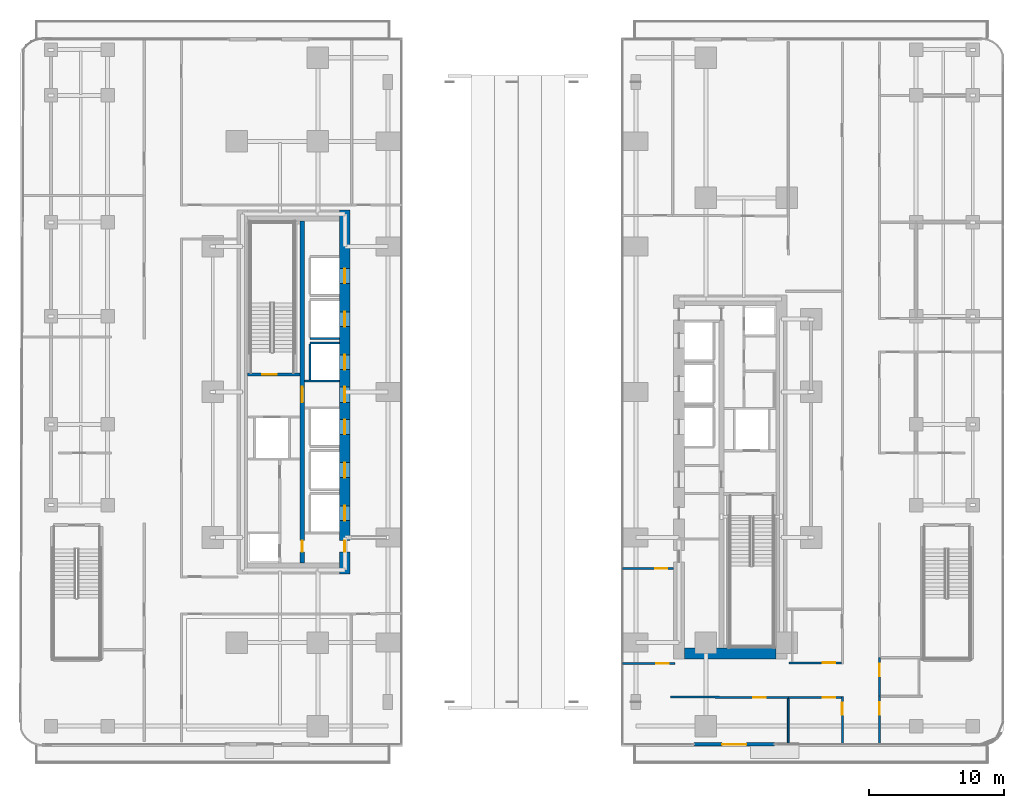
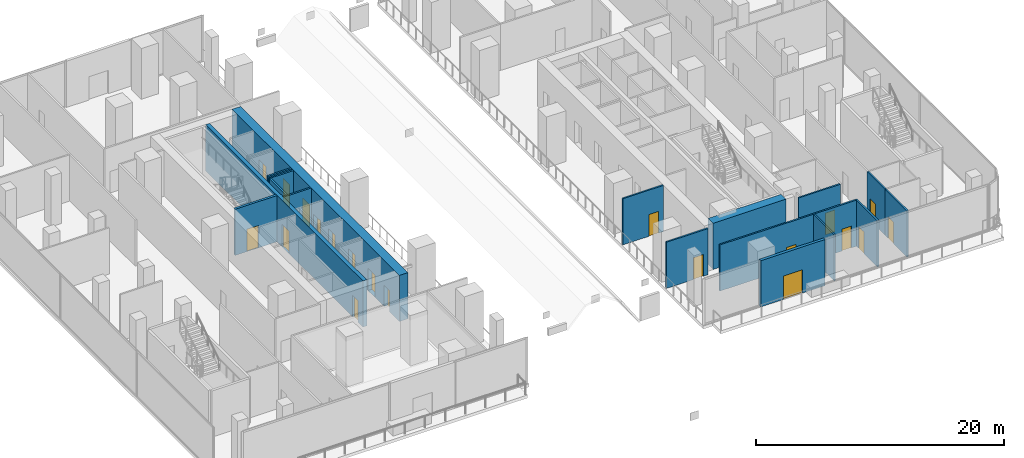
# One storey, part 11 of 32: 20 doors, 18 walls, 20 openings.
"""IFC4 building model written with IfcOpenShell, lengths in metres."""

from ifc_helpers import new_model, si_unit, direction, frame, frame_2d, origin, place, context, subcontext, project, spatial, rectangle, extrude, material, layer, layer_set, type_object, element, fill, save


model = new_model("IFC4")

# Units and contexts
model_context = context("Model", 3, precision=1e-05, world=origin(), true_north=direction((0.0, 1.0)))
body_context = subcontext(model_context, "Body", "Model", "MODEL_VIEW")
ifc_project = project(units=[si_unit("LENGTHUNIT", "METRE"), si_unit("AREAUNIT", "SQUARE_METRE"), si_unit("VOLUMEUNIT", "CUBIC_METRE"), si_unit("PLANEANGLEUNIT", "RADIAN"), si_unit("MASSUNIT", "GRAM", prefix="KILO")], contexts=[model_context])

# Site, building, storey
site_placement = place(None, origin())
site = spatial("IfcSite", under=ifc_project, at=site_placement, CompositionType="ELEMENT")
building_placement = place(site_placement, origin())
building = spatial("IfcBuilding", under=site, at=building_placement, Name="Khairoan Windgate Tower", CompositionType="ELEMENT")
storey_placement = place(building_placement, frame((0.0, 0.0, 16.0)))
storey = spatial("IfcBuildingStorey", under=building, at=storey_placement, Name="L04", CompositionType="ELEMENT", Elevation=16.0)

# Walls
ifc_material_1 = material(Name="Concrete C40/50", Category="concrete")
ifc_layer_1 = layer(ifc_material_1, 0.159912109375, Name="Concrete C40/50")
ifc_layer_set_1 = layer_set([ifc_layer_1], Name="Concrete C40/50")
wall_type_1 = type_object("IfcWallType", Name="Core and Hoistway Enclosure Wall", PredefinedType="STANDARD", material=ifc_layer_set_1)
for number, where, z_axis, x_axis, name in (
    (1, (-14.989990234375, 3.9599609375, 0.0), (0.0, 0.0, 1.0), (1.0, 0.0, 0.0), "L04 Lift PL2 Hoistway Divider S"),
    (2, (-14.989990234375, 3.639892578125, 0.0), (0.0, 0.0, 1.0), (1.0, 0.0, 0.0), "L04 Lift PL3 Hoistway Divider N"),
):
    element("IfcWall", number, at=place(storey_placement, frame(where, z_axis=z_axis, x_axis=x_axis)), inside=storey, type_object=wall_type_1, Name=name, PredefinedType="STANDARD", context=body_context, shape_type="SweptSolid", body=[
        extrude(rectangle(XDim=2.18994140625, YDim=0.159912109375, at=frame_2d((1.094970703125, 0.0))), origin(), (0.0, 0.0, 1.0), 4.550048828125),
    ])
wall_1_placement = place(storey_placement, frame((-14.989990234375, 0.85009765625, 0.0), z_axis=(0.0, 0.0, 1.0), x_axis=(0.0, 1.0, 0.0)))
element("IfcWall", 3, at=wall_1_placement, inside=storey, type_object=wall_type_1, Name="L04 Lift PL3 Hoistway Back Wall", PredefinedType="STANDARD", context=body_context, shape_type="SweptSolid", body=[
    extrude(rectangle(XDim=2.699951171875, YDim=0.159912109375, at=frame_2d((1.35009765625, 0.0))), origin(), (0.0, 0.0, 1.0), 4.550048828125),
])
wall_2_placement = place(storey_placement, frame((-15.39990234375, 0.800048828125, 0.0), z_axis=(0.0, 0.0, 1.0), x_axis=(1.0, 0.0, 0.0)))
element("IfcWall", 4, at=wall_2_placement, inside=storey, type_object=wall_type_1, Name="L04 Core Shaft Wall SW-WV1-L04", PredefinedType="STANDARD", context=body_context, shape_type="SweptSolid", body=[
    extrude(rectangle(XDim=2.599853515625, YDim=0.159912109375, at=frame_2d((1.2998046875, 0.0))), origin(), (0.0, 0.0, 1.0), 4.550048828125),
])

# Wall, opening, door
ifc_material_2 = material(Name="Precast Concrete C40/50", Category="concrete")
ifc_layer_2 = layer(ifc_material_2, 0.260009765625, Name="Precast Concrete C40/50")
ifc_layer_set_2 = layer_set([ifc_layer_2], Name="Precast Concrete C40/50")
wall_type_2 = type_object("IfcWallType", Name="Insulated Tower Facade Wall EW2 260mm", PredefinedType="STANDARD", material=ifc_layer_set_2)
wall_3_placement = place(storey_placement, frame((19.5, -26.159912109375, 0.0), z_axis=(0.0, 0.0, 1.0), x_axis=(-1.0, 0.0, 0.0)))
wall_3 = element("IfcWall", 5, at=wall_3_placement, inside=storey, type_object=wall_type_2, Name="L04 South-East Terrace Access Wall", PredefinedType="STANDARD", context=body_context, shape_type="SweptSolid", body=[
    extrude(rectangle(XDim=6.0, YDim=0.260009765625, at=frame_2d((3.0, 0.0))), origin(), (0.0, 0.0, 1.0), 4.550048828125),
])
opening_1_placement = place(wall_3_placement, frame((2.10009765625, 0.0, 0.0)))
opening_1 = element("IfcOpeningElement", 6, at=opening_1_placement, cuts=wall_3, Name="Opening TD1", PredefinedType="OPENING", context=body_context, shape_type="SweptSolid", body=[
    extrude(rectangle(XDim=1.800048828125, YDim=2.300048828125, at=frame_2d((0.89990234375, 1.14990234375))), frame((0.0, 0.139892578125, 0.0), z_axis=(0.0, -1.0, 0.0), x_axis=(1.0, 0.0, 0.0)), (0.0, 0.0, 1.0), 0.280029296875),
])
ifc_material_3 = material(Name="Anodised Bronze Aluminium 6063-T6", Category="aluminium")
door_type_1 = type_object("IfcDoorType", Name="Glazed Double Terrace Door TD-1800", OperationType="DOUBLE_DOOR_SINGLE_SWING", PredefinedType="DOOR", material=ifc_material_3)
door_1_placement = place(opening_1_placement, origin())
door_1 = element("IfcDoor", 7, at=door_1_placement, inside=storey, type_object=door_type_1, Name="L04 South-East Sky Terrace Door", OperationType="DOUBLE_DOOR_SINGLE_SWING", OverallHeight=2.300048828125, OverallWidth=1.800048828125, PredefinedType="DOOR", context=body_context, shape_type="SweptSolid", body=[
    extrude(rectangle(XDim=1.800048828125, YDim=2.300048828125, at=frame_2d((0.89990234375, 1.14990234375))), frame((0.0, 0.02490234375, 0.0), z_axis=(0.0, -1.0, 0.0), x_axis=(1.0, 0.0, 0.0)), (0.0, 0.0, 1.0), 0.050048828125),
])
fill(opening_1, door_1)

# Wall
ifc_material_4 = material(Name="Acoustic Fire-Rated Gypsum Partition", Category="gypsum")
ifc_layer_3 = layer(ifc_material_4, 0.139892578125, Name="Acoustic Fire-Rated Gypsum Partition")
ifc_layer_set_3 = layer_set([ifc_layer_3], Name="Acoustic Fire-Rated Gypsum Partition")
wall_type_3 = type_object("IfcWallType", Name="Inter-Tenancy Compartment Wall", PredefinedType="PARTITIONING", material=ifc_layer_set_3)
wall_4_placement = place(storey_placement, frame((20.510009765625, -26.099853515625, 0.0), z_axis=(0.0, 0.0, 1.0), x_axis=(0.0, 1.0, 0.0)))
element("IfcWall", 8, at=wall_4_placement, inside=storey, type_object=wall_type_3, Name="L04 Interior Partition 027", PredefinedType="PARTITIONING", context=body_context, shape_type="SweptSolid", body=[
    extrude(rectangle(XDim=3.344970703125, YDim=0.139892578125, at=frame_2d((1.67236328125, 0.0))), origin(), (0.0, 0.0, 1.0), 4.550048828125),
])

# Wall, opening, door
ifc_material_5 = material(Name="Acoustic Fire-Rated Gypsum Partition", Category="gypsum")
ifc_layer_4 = layer(ifc_material_5, 0.14990234375, Name="Acoustic Fire-Rated Gypsum Partition")
ifc_layer_set_4 = layer_set([ifc_layer_4], Name="Acoustic Fire-Rated Gypsum Partition")
wall_type_4 = type_object("IfcWallType", Name="Rated Corridor Partition Wall", PredefinedType="PARTITIONING", material=ifc_layer_set_4)
wall_5_placement = place(storey_placement, frame((24.52001953125, -26.112548828125, 0.0), z_axis=(0.0, 0.0, 1.0), x_axis=(0.0, 1.0, 0.0)))
wall_5 = element("IfcWall", 9, at=wall_5_placement, inside=storey, type_object=wall_type_4, Name="L04 Interior Partition 025", PredefinedType="PARTITIONING", context=body_context, shape_type="SweptSolid", body=[
    extrude(rectangle(XDim=3.507568359375, YDim=0.14990234375, at=frame_2d((1.75390625, 0.0))), origin(), (0.0, 0.0, 1.0), 4.550048828125),
])
opening_2_placement = place(wall_5_placement, frame((2.147705078125, 0.0, 0.0)))
opening_2 = element("IfcOpeningElement", 10, at=opening_2_placement, cuts=wall_5, Name="Opening FD-ENT", PredefinedType="OPENING", context=body_context, shape_type="SweptSolid", body=[
    extrude(rectangle(XDim=0.89990234375, YDim=2.14990234375, at=frame_2d((0.449951171875, 1.074951171875))), frame((0.0, 0.0849609375, 0.0), z_axis=(0.0, -1.0, 0.0), x_axis=(1.0, 0.0, 0.0)), (0.0, 0.0, 1.0), 0.169921875),
])
ifc_material_6 = material(Name="Timber Fire-Rated Core", Category="wood")
door_type_2 = type_object("IfcDoorType", Name="Unit and Office Fire Entrance Door FD-ENT 900x2150", OperationType="NOTDEFINED", PredefinedType="DOOR", material=ifc_material_6)
door_2_placement = place(opening_2_placement, origin())
door_2 = element("IfcDoor", 11, at=door_2_placement, inside=storey, type_object=door_type_2, Name="L04 L04-36-L04-45 Door", OperationType="SINGLE_SWING_LEFT", OverallHeight=2.14990234375, OverallWidth=0.89990234375, PredefinedType="DOOR", context=body_context, shape_type="SweptSolid", body=[
    extrude(rectangle(XDim=0.89990234375, YDim=2.14990234375, at=frame_2d((0.449951171875, 1.074951171875))), frame((0.0, 0.02490234375, 0.0), z_axis=(0.0, -1.0, 0.0), x_axis=(1.0, 0.0, 0.0)), (0.0, 0.0, 1.0), 0.050048828125),
])
fill(opening_2, door_2)

wall_6_placement = place(storey_placement, frame((20.510009765625, -22.679931640625, 0.0), z_axis=(0.0, 0.0, 1.0), x_axis=(1.0, 0.0, 0.0)))
wall_6 = element("IfcWall", 12, at=wall_6_placement, inside=storey, type_object=wall_type_4, Name="L04 Interior Partition 026", PredefinedType="PARTITIONING", context=body_context, shape_type="SweptSolid", body=[
    extrude(rectangle(XDim=3.93505859375, YDim=0.14990234375, at=frame_2d((1.967529296875, 0.0))), origin(), (0.0, 0.0, 1.0), 4.550048828125),
])
opening_3_placement = place(wall_6_placement, frame((2.574951171875, 0.0, 0.0)))
opening_3 = element("IfcOpeningElement", 13, at=opening_3_placement, cuts=wall_6, Name="Opening FD-ENT", PredefinedType="OPENING", context=body_context, shape_type="SweptSolid", body=[
    extrude(rectangle(XDim=0.89990234375, YDim=2.14990234375, at=frame_2d((0.449951171875, 1.074951171875))), frame((0.0, 0.0849609375, 0.0), z_axis=(0.0, -1.0, 0.0), x_axis=(1.0, 0.0, 0.0)), (0.0, 0.0, 1.0), 0.169921875),
])
door_3_placement = place(opening_3_placement, origin())
door_3 = element("IfcDoor", 14, at=door_3_placement, inside=storey, type_object=door_type_2, Name="L04 L04-36-L04-48 Door", OperationType="SINGLE_SWING_RIGHT", OverallHeight=2.14990234375, OverallWidth=0.89990234375, PredefinedType="DOOR", context=body_context, shape_type="SweptSolid", body=[
    extrude(rectangle(XDim=0.89990234375, YDim=2.14990234375, at=frame_2d((0.449951171875, 1.074951171875))), frame((0.0, 0.02490234375, 0.0), z_axis=(0.0, -1.0, 0.0), x_axis=(1.0, 0.0, 0.0)), (0.0, 0.0, 1.0), 0.050048828125),
])
fill(opening_3, door_3)

wall_7_placement = place(storey_placement, frame((8.205078125, -13.10009765625, 0.0), z_axis=(0.0, 0.0, 1.0), x_axis=(1.0, 0.0, 0.0)))
wall_7 = element("IfcWall", 15, at=wall_7_placement, inside=storey, type_object=wall_type_4, Name="L04 Interior Partition 041", PredefinedType="PARTITIONING", context=body_context, shape_type="SweptSolid", body=[
    extrude(rectangle(XDim=3.794921875, YDim=0.14990234375, at=frame_2d((1.8974609375, 0.0))), origin(), (0.0, 0.0, 1.0), 4.550048828125),
])
opening_4_placement = place(wall_7_placement, frame((2.43505859375, 0.0, 0.0)))
opening_4 = element("IfcOpeningElement", 16, at=opening_4_placement, cuts=wall_7, Name="Opening FD-ENT", PredefinedType="OPENING", context=body_context, shape_type="SweptSolid", body=[
    extrude(rectangle(XDim=0.89990234375, YDim=2.14990234375, at=frame_2d((0.449951171875, 1.074951171875))), frame((0.0, 0.0849609375, 0.0), z_axis=(0.0, -1.0, 0.0), x_axis=(1.0, 0.0, 0.0)), (0.0, 0.0, 1.0), 0.169921875),
])
door_4_placement = place(opening_4_placement, origin())
door_4 = element("IfcDoor", 17, at=door_4_placement, inside=storey, type_object=door_type_2, Name="L04 L04-44-L04-67 Door", OperationType="SINGLE_SWING_RIGHT", OverallHeight=2.14990234375, OverallWidth=0.89990234375, PredefinedType="DOOR", context=body_context, shape_type="SweptSolid", body=[
    extrude(rectangle(XDim=0.89990234375, YDim=2.14990234375, at=frame_2d((0.449951171875, 1.074951171875))), frame((0.0, 0.02490234375, 0.0), z_axis=(0.0, -1.0, 0.0), x_axis=(1.0, 0.0, 0.0)), (0.0, 0.0, 1.0), 0.050048828125),
])
fill(opening_4, door_4)

wall_8_placement = place(storey_placement, frame((27.280029296875, -22.580078125, 0.0), z_axis=(0.0, 0.0, 1.0), x_axis=(0.0, 1.0, 0.0)))
wall_8 = element("IfcWall", 18, at=wall_8_placement, inside=storey, type_object=wall_type_4, Name="L04 Interior Partition 045", PredefinedType="PARTITIONING", context=body_context, shape_type="SweptSolid", body=[
    extrude(rectangle(XDim=2.860107421875, YDim=0.14990234375, at=frame_2d((1.43017578125, 0.0))), origin(), (0.0, 0.0, 1.0), 4.550048828125),
])
opening_5_placement = place(wall_8_placement, frame((1.5, 0.0, 0.0)))
opening_5 = element("IfcOpeningElement", 19, at=opening_5_placement, cuts=wall_8, Name="Opening FD-ENT", PredefinedType="OPENING", context=body_context, shape_type="SweptSolid", body=[
    extrude(rectangle(XDim=0.89990234375, YDim=2.14990234375, at=frame_2d((0.449951171875, 1.074951171875))), frame((0.0, 0.0849609375, 0.0), z_axis=(0.0, -1.0, 0.0), x_axis=(1.0, 0.0, 0.0)), (0.0, 0.0, 1.0), 0.169921875),
])
door_5_placement = place(opening_5_placement, origin())
door_5 = element("IfcDoor", 20, at=door_5_placement, inside=storey, type_object=door_type_2, Name="L04 L04-45-L04-58 Door", OperationType="SINGLE_SWING_RIGHT", OverallHeight=2.14990234375, OverallWidth=0.89990234375, PredefinedType="DOOR", context=body_context, shape_type="SweptSolid", body=[
    extrude(rectangle(XDim=0.89990234375, YDim=2.14990234375, at=frame_2d((0.449951171875, 1.074951171875))), frame((0.0, 0.02490234375, 0.0), z_axis=(0.0, -1.0, 0.0), x_axis=(1.0, 0.0, 0.0)), (0.0, 0.0, 1.0), 0.050048828125),
])
fill(opening_5, door_5)

wall_9_placement = place(storey_placement, frame((27.280029296875, -26.121337890625, 0.0), z_axis=(0.0, 0.0, 1.0), x_axis=(0.0, 1.0, 0.0)))
wall_9 = element("IfcWall", 21, at=wall_9_placement, inside=storey, type_object=wall_type_4, Name="L04 Interior Partition 047", PredefinedType="PARTITIONING", context=body_context, shape_type="SweptSolid", body=[
    extrude(rectangle(XDim=3.541259765625, YDim=0.14990234375, at=frame_2d((1.7705078125, 0.0))), origin(), (0.0, 0.0, 1.0), 4.550048828125),
])
opening_6_placement = place(wall_9_placement, frame((2.181396484375, 0.0, 0.0)))
opening_6 = element("IfcOpeningElement", 22, at=opening_6_placement, cuts=wall_9, Name="Opening FD-ENT", PredefinedType="OPENING", context=body_context, shape_type="SweptSolid", body=[
    extrude(rectangle(XDim=0.89990234375, YDim=2.14990234375, at=frame_2d((0.449951171875, 1.074951171875))), frame((0.0, 0.0849609375, 0.0), z_axis=(0.0, -1.0, 0.0), x_axis=(1.0, 0.0, 0.0)), (0.0, 0.0, 1.0), 0.169921875),
])
door_6_placement = place(opening_6_placement, origin())
door_6 = element("IfcDoor", 23, at=door_6_placement, inside=storey, type_object=door_type_2, Name="L04 L04-45-L04-62 Door", OperationType="SINGLE_SWING_RIGHT", OverallHeight=2.14990234375, OverallWidth=0.89990234375, PredefinedType="DOOR", context=body_context, shape_type="SweptSolid", body=[
    extrude(rectangle(XDim=0.89990234375, YDim=2.14990234375, at=frame_2d((0.449951171875, 1.074951171875))), frame((0.0, 0.02490234375, 0.0), z_axis=(0.0, -1.0, 0.0), x_axis=(1.0, 0.0, 0.0)), (0.0, 0.0, 1.0), 0.050048828125),
])
fill(opening_6, door_6)

wall_10_placement = place(storey_placement, frame((11.760009765625, -22.639892578125, 0.0), z_axis=(0.0, 0.0, 1.0), x_axis=(0.999989530767, -0.004575844951, 0.0)))
wall_10 = element("IfcWall", 24, at=wall_10_placement, inside=storey, type_object=wall_type_4, Name="L04 Interior Partition 054", PredefinedType="PARTITIONING", context=body_context, shape_type="SweptSolid", body=[
    extrude(rectangle(XDim=8.75, YDim=0.14990234375, at=frame_2d((4.375, 0.0))), origin(), (0.0, 0.0, 1.0), 4.550048828125),
])
opening_7_placement = place(wall_10_placement, frame((6.1669921875, 0.0, 0.0)))
opening_7 = element("IfcOpeningElement", 25, at=opening_7_placement, cuts=wall_10, Name="Opening FD-ENT", PredefinedType="OPENING", context=body_context, shape_type="SweptSolid", body=[
    extrude(rectangle(XDim=0.89990234375, YDim=2.14990234375, at=frame_2d((0.449951171875, 1.074951171875))), frame((0.0, 0.0849609375, 0.0), z_axis=(0.0, -1.0, 0.0), x_axis=(1.0, 0.0, 0.0)), (0.0, 0.0, 1.0), 0.169921875),
])
door_7_placement = place(opening_7_placement, origin())
door_7 = element("IfcDoor", 26, at=door_7_placement, inside=storey, type_object=door_type_2, Name="L04 L04-48-L04-52 Door", OperationType="SINGLE_SWING_LEFT", OverallHeight=2.14990234375, OverallWidth=0.89990234375, PredefinedType="DOOR", context=body_context, shape_type="SweptSolid", body=[
    extrude(rectangle(XDim=0.89990234375, YDim=2.14990234375, at=frame_2d((0.449951171875, 1.074951171875))), frame((0.0, 0.02490234375, 0.0), z_axis=(0.0, -1.0, 0.0), x_axis=(1.0, 0.0, 0.0)), (0.0, 0.0, 1.0), 0.050048828125),
])
fill(opening_7, door_7)

wall_11_placement = place(storey_placement, frame((20.56005859375, -20.10009765625, 0.0), z_axis=(0.0, 0.0, 1.0), x_axis=(1.0, 0.0, 0.0)))
wall_11 = element("IfcWall", 27, at=wall_11_placement, inside=storey, type_object=wall_type_4, Name="L04 Interior Partition 055", PredefinedType="PARTITIONING", context=body_context, shape_type="SweptSolid", body=[
    extrude(rectangle(XDim=3.885009765625, YDim=0.14990234375, at=frame_2d((1.9423828125, 0.0))), origin(), (0.0, 0.0, 1.0), 4.550048828125),
])
opening_8_placement = place(wall_11_placement, frame((2.52490234375, 0.0, 0.0)))
opening_8 = element("IfcOpeningElement", 28, at=opening_8_placement, cuts=wall_11, Name="Opening FD-ENT", PredefinedType="OPENING", context=body_context, shape_type="SweptSolid", body=[
    extrude(rectangle(XDim=0.89990234375, YDim=2.14990234375, at=frame_2d((0.449951171875, 1.074951171875))), frame((0.0, 0.0849609375, 0.0), z_axis=(0.0, -1.0, 0.0), x_axis=(1.0, 0.0, 0.0)), (0.0, 0.0, 1.0), 0.169921875),
])
door_8_placement = place(opening_8_placement, origin())
door_8 = element("IfcDoor", 29, at=door_8_placement, inside=storey, type_object=door_type_2, Name="L04 L04-48-L04-57 Door", OperationType="SINGLE_SWING_RIGHT", OverallHeight=2.14990234375, OverallWidth=0.89990234375, PredefinedType="DOOR", context=body_context, shape_type="SweptSolid", body=[
    extrude(rectangle(XDim=0.89990234375, YDim=2.14990234375, at=frame_2d((0.449951171875, 1.074951171875))), frame((0.0, 0.02490234375, 0.0), z_axis=(0.0, -1.0, 0.0), x_axis=(1.0, 0.0, 0.0)), (0.0, 0.0, 1.0), 0.050048828125),
])
fill(opening_8, door_8)

wall_12_placement = place(storey_placement, frame((8.205078125, -20.159912109375, 0.0), z_axis=(0.0, 0.0, 1.0), x_axis=(1.0, 0.0, 0.0)))
wall_12 = element("IfcWall", 30, at=wall_12_placement, inside=storey, type_object=wall_type_4, Name="L04 Interior Partition 056", PredefinedType="PARTITIONING", context=body_context, shape_type="SweptSolid", body=[
    extrude(rectangle(XDim=3.885009765625, YDim=0.14990234375, at=frame_2d((1.9423828125, 0.0))), origin(), (0.0, 0.0, 1.0), 4.550048828125),
])
opening_9_placement = place(wall_12_placement, frame((2.52490234375, 0.0, 0.0)))
opening_9 = element("IfcOpeningElement", 31, at=opening_9_placement, cuts=wall_12, Name="Opening FD-ENT", PredefinedType="OPENING", context=body_context, shape_type="SweptSolid", body=[
    extrude(rectangle(XDim=0.89990234375, YDim=2.14990234375, at=frame_2d((0.449951171875, 1.074951171875))), frame((0.0, 0.0849609375, 0.0), z_axis=(0.0, -1.0, 0.0), x_axis=(1.0, 0.0, 0.0)), (0.0, 0.0, 1.0), 0.169921875),
])
door_9_placement = place(opening_9_placement, origin())
door_9 = element("IfcDoor", 32, at=door_9_placement, inside=storey, type_object=door_type_2, Name="L04 L04-48-L04-67 Door", OperationType="SINGLE_SWING_LEFT", OverallHeight=2.14990234375, OverallWidth=0.89990234375, PredefinedType="DOOR", context=body_context, shape_type="SweptSolid", body=[
    extrude(rectangle(XDim=0.89990234375, YDim=2.14990234375, at=frame_2d((0.449951171875, 1.074951171875))), frame((0.0, 0.02490234375, 0.0), z_axis=(0.0, -1.0, 0.0), x_axis=(1.0, 0.0, 0.0)), (0.0, 0.0, 1.0), 0.050048828125),
])
fill(opening_9, door_9)

# Wall
ifc_material_7 = material(Name="Concrete C70/85", Category="concrete")
ifc_layer_5 = layer(ifc_material_7, 0.800048828125, Name="Concrete C70/85")
ifc_layer_set_5 = layer_set([ifc_layer_5], Name="Concrete C70/85")
wall_type_5 = type_object("IfcWallType", Name="Shear Wall CW-E1 800mm", PredefinedType="SHEAR", material=ifc_layer_set_5)
wall_13_placement = place(storey_placement, frame((12.800048828125, -19.39990234375, 0.0), z_axis=(0.0, 0.0, 1.0), x_axis=(1.0, 0.0, 0.0)))
element("IfcWall", 33, at=wall_13_placement, inside=storey, type_object=wall_type_5, Name="E Core South Shear Wall L04", PredefinedType="SHEAR", context=body_context, shape_type="SweptSolid", body=[
    extrude(rectangle(XDim=6.800048828125, YDim=0.800048828125, at=frame_2d((3.39990234375, 0.0))), origin(), (0.0, 0.0, 1.0), 4.550048828125),
])

# Wall, openings, doors
ifc_material_8 = material(Name="Concrete C70/85", Category="concrete")
ifc_layer_6 = layer(ifc_material_8, 0.800048828125, Name="Concrete C70/85")
ifc_layer_set_6 = layer_set([ifc_layer_6], Name="Concrete C70/85")
wall_type_6 = type_object("IfcWallType", Name="Shear Wall CW-W1 800mm", PredefinedType="SHEAR", material=ifc_layer_set_6)
wall_14_placement = place(storey_placement, frame((-12.39990234375, -13.5, 0.0), z_axis=(0.0, 0.0, 1.0), x_axis=(0.0, 1.0, 0.0)))
wall_14 = element("IfcWall", 34, at=wall_14_placement, inside=storey, type_object=wall_type_6, Name="W Core East Shear Wall L04", PredefinedType="SHEAR", context=body_context, shape_type="SweptSolid", body=[
    extrude(rectangle(XDim=27.0, YDim=0.800048828125, at=frame_2d((13.5, 0.0))), origin(), (0.0, 0.0, 1.0), 4.550048828125),
])
opening_10_placement = place(wall_14_placement, frame((21.550048828125, 0.0, 0.0)))
opening_10 = element("IfcOpeningElement", 35, at=opening_10_placement, cuts=wall_14, Name="Opening LD-PL", PredefinedType="OPENING", context=body_context, shape_type="SweptSolid", body=[
    extrude(rectangle(XDim=1.10009765625, YDim=2.199951171875, at=frame_2d((0.550048828125, 1.10009765625))), frame((0.0, 0.409912109375, 0.0), z_axis=(0.0, -1.0, 0.0), x_axis=(1.0, 0.0, 0.0)), (0.0, 0.0, 1.0), 0.820068359375),
])
opening_11_placement = place(wall_14_placement, frame((18.35009765625, 0.0, 0.0)))
opening_11 = element("IfcOpeningElement", 36, at=opening_11_placement, cuts=wall_14, Name="Opening LD-PL", PredefinedType="OPENING", context=body_context, shape_type="SweptSolid", body=[
    extrude(rectangle(XDim=1.10009765625, YDim=2.199951171875, at=frame_2d((0.550048828125, 1.10009765625))), frame((0.0, 0.409912109375, 0.0), z_axis=(0.0, -1.0, 0.0), x_axis=(1.0, 0.0, 0.0)), (0.0, 0.0, 1.0), 0.820068359375),
])
opening_12_placement = place(wall_14_placement, frame((15.14990234375, 0.0, 0.0)))
opening_12 = element("IfcOpeningElement", 37, at=opening_12_placement, cuts=wall_14, Name="Opening LD-PL", PredefinedType="OPENING", context=body_context, shape_type="SweptSolid", body=[
    extrude(rectangle(XDim=1.10009765625, YDim=2.199951171875, at=frame_2d((0.550048828125, 1.10009765625))), frame((0.0, 0.409912109375, 0.0), z_axis=(0.0, -1.0, 0.0), x_axis=(1.0, 0.0, 0.0)), (0.0, 0.0, 1.0), 0.820068359375),
])
opening_13_placement = place(wall_14_placement, frame((10.35009765625, 0.0, 0.0)))
opening_13 = element("IfcOpeningElement", 38, at=opening_13_placement, cuts=wall_14, Name="Opening LD-PL", PredefinedType="OPENING", context=body_context, shape_type="SweptSolid", body=[
    extrude(rectangle(XDim=1.10009765625, YDim=2.199951171875, at=frame_2d((0.550048828125, 1.10009765625))), frame((0.0, 0.409912109375, 0.0), z_axis=(0.0, -1.0, 0.0), x_axis=(1.0, 0.0, 0.0)), (0.0, 0.0, 1.0), 0.820068359375),
])
opening_14_placement = place(wall_14_placement, frame((7.14990234375, 0.0, 0.0)))
opening_14 = element("IfcOpeningElement", 39, at=opening_14_placement, cuts=wall_14, Name="Opening LD-PL", PredefinedType="OPENING", context=body_context, shape_type="SweptSolid", body=[
    extrude(rectangle(XDim=1.10009765625, YDim=2.199951171875, at=frame_2d((0.550048828125, 1.10009765625))), frame((0.0, 0.409912109375, 0.0), z_axis=(0.0, -1.0, 0.0), x_axis=(1.0, 0.0, 0.0)), (0.0, 0.0, 1.0), 0.820068359375),
])
opening_15_placement = place(wall_14_placement, frame((3.949951171875, 0.0, 0.0)))
opening_15 = element("IfcOpeningElement", 40, at=opening_15_placement, cuts=wall_14, Name="Opening LD-PL", PredefinedType="OPENING", context=body_context, shape_type="SweptSolid", body=[
    extrude(rectangle(XDim=1.10009765625, YDim=2.199951171875, at=frame_2d((0.550048828125, 1.10009765625))), frame((0.0, 0.409912109375, 0.0), z_axis=(0.0, -1.0, 0.0), x_axis=(1.0, 0.0, 0.0)), (0.0, 0.0, 1.0), 0.820068359375),
])
opening_16_placement = place(wall_14_placement, frame((12.72509765625, 0.0, 0.0)))
opening_16 = element("IfcOpeningElement", 41, at=opening_16_placement, cuts=wall_14, Name="Opening FD-FFL", PredefinedType="OPENING", context=body_context, shape_type="SweptSolid", body=[
    extrude(rectangle(XDim=1.14990234375, YDim=2.199951171875, at=frame_2d((0.574951171875, 1.10009765625))), frame((0.0, 0.409912109375, 0.0), z_axis=(0.0, -1.0, 0.0), x_axis=(1.0, 0.0, 0.0)), (0.0, 0.0, 1.0), 0.820068359375),
])
opening_17_placement = place(wall_14_placement, frame((1.625, 0.0, 0.0)))
opening_17 = element("IfcOpeningElement", 42, at=opening_17_placement, cuts=wall_14, Name="Opening FD-SRV", PredefinedType="OPENING", context=body_context, shape_type="SweptSolid", body=[
    extrude(rectangle(XDim=0.85009765625, YDim=2.10009765625, at=frame_2d((0.425048828125, 1.050048828125))), frame((0.0, 0.409912109375, 0.0), z_axis=(0.0, -1.0, 0.0), x_axis=(1.0, 0.0, 0.0)), (0.0, 0.0, 1.0), 0.820068359375),
])
ifc_material_9 = material(Name="Steel S355", Category="steel")
door_type_3 = type_object("IfcDoorType", Name="Core Service and Riser Fire Door FD-SRV 850x2100", OperationType="NOTDEFINED", PredefinedType="DOOR", material=ifc_material_9)
door_10_placement = place(opening_17_placement, origin())
door_10 = element("IfcDoor", 43, at=door_10_placement, inside=storey, type_object=door_type_3, Name="L04 West Core Service Vestibule Outer Door", OperationType="SINGLE_SWING_RIGHT", OverallHeight=2.10009765625, OverallWidth=0.85009765625, PredefinedType="DOOR", context=body_context, shape_type="SweptSolid", body=[
    extrude(rectangle(XDim=0.85009765625, YDim=2.10009765625, at=frame_2d((0.425048828125, 1.050048828125))), frame((0.0, 0.02490234375, 0.0), z_axis=(0.0, -1.0, 0.0), x_axis=(1.0, 0.0, 0.0)), (0.0, 0.0, 1.0), 0.050048828125),
])
fill(opening_17, door_10)
ifc_material_10 = material(Name="Steel S355", Category="steel")
door_type_4 = type_object("IfcDoorType", Name="Firefighting Lobby Fire Door FD-FFL 1150x2200", OperationType="NOTDEFINED", PredefinedType="DOOR", material=ifc_material_10)
door_11_placement = place(opening_16_placement, origin())
door_11 = element("IfcDoor", 44, at=door_11_placement, inside=storey, type_object=door_type_4, Name="L04 West Core Vestibule Entry Door", OperationType="SINGLE_SWING_RIGHT", OverallHeight=2.199951171875, OverallWidth=1.14990234375, PredefinedType="DOOR", context=body_context, shape_type="SweptSolid", body=[
    extrude(rectangle(XDim=1.14990234375, YDim=2.199951171875, at=frame_2d((0.574951171875, 1.10009765625))), frame((0.0, 0.02490234375, 0.0), z_axis=(0.0, -1.0, 0.0), x_axis=(1.0, 0.0, 0.0)), (0.0, 0.0, 1.0), 0.050048828125),
])
fill(opening_16, door_11)
ifc_material_11 = material(Name="Anodised Bronze Aluminium 6063-T6", Category="aluminium")
door_type_5 = type_object("IfcDoorType", Name="Passenger Lift Sliding Landing Door LD-PL 1100x2200", OperationType="DOUBLE_DOOR_SLIDING", PredefinedType="DOOR", material=ifc_material_11)
door_12_placement = place(opening_10_placement, origin())
door_12 = element("IfcDoor", 45, at=door_12_placement, inside=storey, type_object=door_type_5, Name="L04 Lift PL1 Sliding Landing Door", OperationType="DOUBLE_DOOR_SLIDING", OverallHeight=2.199951171875, OverallWidth=1.10009765625, PredefinedType="DOOR", context=body_context, shape_type="SweptSolid", body=[
    extrude(rectangle(XDim=1.10009765625, YDim=2.199951171875, at=frame_2d((0.550048828125, 1.10009765625))), frame((0.0, 0.02490234375, 0.0), z_axis=(0.0, -1.0, 0.0), x_axis=(1.0, 0.0, 0.0)), (0.0, 0.0, 1.0), 0.050048828125),
])
fill(opening_10, door_12)
door_13_placement = place(opening_11_placement, origin())
door_13 = element("IfcDoor", 46, at=door_13_placement, inside=storey, type_object=door_type_5, Name="L04 Lift PL2 Sliding Landing Door", OperationType="DOUBLE_DOOR_SLIDING", OverallHeight=2.199951171875, OverallWidth=1.10009765625, PredefinedType="DOOR", context=body_context, shape_type="SweptSolid", body=[
    extrude(rectangle(XDim=1.10009765625, YDim=2.199951171875, at=frame_2d((0.550048828125, 1.10009765625))), frame((0.0, 0.02490234375, 0.0), z_axis=(0.0, -1.0, 0.0), x_axis=(1.0, 0.0, 0.0)), (0.0, 0.0, 1.0), 0.050048828125),
])
fill(opening_11, door_13)
door_14_placement = place(opening_12_placement, origin())
door_14 = element("IfcDoor", 47, at=door_14_placement, inside=storey, type_object=door_type_5, Name="L04 Lift PL3 Sliding Landing Door", OperationType="DOUBLE_DOOR_SLIDING", OverallHeight=2.199951171875, OverallWidth=1.10009765625, PredefinedType="DOOR", context=body_context, shape_type="SweptSolid", body=[
    extrude(rectangle(XDim=1.10009765625, YDim=2.199951171875, at=frame_2d((0.550048828125, 1.10009765625))), frame((0.0, 0.02490234375, 0.0), z_axis=(0.0, -1.0, 0.0), x_axis=(1.0, 0.0, 0.0)), (0.0, 0.0, 1.0), 0.050048828125),
])
fill(opening_12, door_14)
door_15_placement = place(opening_13_placement, origin())
door_15 = element("IfcDoor", 48, at=door_15_placement, inside=storey, type_object=door_type_5, Name="L04 Lift PL4 Sliding Landing Door", OperationType="DOUBLE_DOOR_SLIDING", OverallHeight=2.199951171875, OverallWidth=1.10009765625, PredefinedType="DOOR", context=body_context, shape_type="SweptSolid", body=[
    extrude(rectangle(XDim=1.10009765625, YDim=2.199951171875, at=frame_2d((0.550048828125, 1.10009765625))), frame((0.0, 0.02490234375, 0.0), z_axis=(0.0, -1.0, 0.0), x_axis=(1.0, 0.0, 0.0)), (0.0, 0.0, 1.0), 0.050048828125),
])
fill(opening_13, door_15)
door_16_placement = place(opening_14_placement, origin())
door_16 = element("IfcDoor", 49, at=door_16_placement, inside=storey, type_object=door_type_5, Name="L04 Lift PL5 Sliding Landing Door", OperationType="DOUBLE_DOOR_SLIDING", OverallHeight=2.199951171875, OverallWidth=1.10009765625, PredefinedType="DOOR", context=body_context, shape_type="SweptSolid", body=[
    extrude(rectangle(XDim=1.10009765625, YDim=2.199951171875, at=frame_2d((0.550048828125, 1.10009765625))), frame((0.0, 0.02490234375, 0.0), z_axis=(0.0, -1.0, 0.0), x_axis=(1.0, 0.0, 0.0)), (0.0, 0.0, 1.0), 0.050048828125),
])
fill(opening_14, door_16)
door_17_placement = place(opening_15_placement, origin())
door_17 = element("IfcDoor", 50, at=door_17_placement, inside=storey, type_object=door_type_5, Name="L04 Lift PL6 Sliding Landing Door", OperationType="DOUBLE_DOOR_SLIDING", OverallHeight=2.199951171875, OverallWidth=1.10009765625, PredefinedType="DOOR", context=body_context, shape_type="SweptSolid", body=[
    extrude(rectangle(XDim=1.10009765625, YDim=2.199951171875, at=frame_2d((0.550048828125, 1.10009765625))), frame((0.0, 0.02490234375, 0.0), z_axis=(0.0, -1.0, 0.0), x_axis=(1.0, 0.0, 0.0)), (0.0, 0.0, 1.0), 0.050048828125),
])
fill(opening_15, door_17)

ifc_material_12 = material(Name="Concrete C60/75", Category="concrete")
ifc_layer_7 = layer(ifc_material_12, 0.35009765625, Name="Concrete C60/75")
ifc_layer_set_7 = layer_set([ifc_layer_7], Name="Concrete C60/75")
wall_type_7 = type_object("IfcWallType", Name="Shear Wall SW-1 350mm", PredefinedType="SHEAR", material=ifc_layer_set_7)
wall_15_placement = place(storey_placement, frame((-15.550048828125, -12.699951171875, 0.0), z_axis=(0.0, 0.0, 1.0), x_axis=(0.0, 1.0, 0.0)))
wall_15 = element("IfcWall", 51, at=wall_15_placement, inside=storey, type_object=wall_type_7, Name="W Core Spine Shear Wall L04", PredefinedType="SHEAR", context=body_context, shape_type="SweptSolid", body=[
    extrude(rectangle(XDim=25.39990234375, YDim=0.35009765625, at=frame_2d((12.699951171875, 0.0))), origin(), (0.0, 0.0, 1.0), 4.550048828125),
])
opening_18_placement = place(wall_15_placement, frame((11.925048828125, 0.0, 0.0)))
opening_18 = element("IfcOpeningElement", 52, at=opening_18_placement, cuts=wall_15, Name="Opening FD-FFL", PredefinedType="OPENING", context=body_context, shape_type="SweptSolid", body=[
    extrude(rectangle(XDim=1.14990234375, YDim=2.199951171875, at=frame_2d((0.574951171875, 1.10009765625))), frame((0.0, 0.18505859375, 0.0), z_axis=(0.0, -1.0, 0.0), x_axis=(1.0, 0.0, 0.0)), (0.0, 0.0, 1.0), 0.3701171875),
])
opening_19_placement = place(wall_15_placement, frame((0.824951171875, 0.0, 0.0)))
opening_19 = element("IfcOpeningElement", 53, at=opening_19_placement, cuts=wall_15, Name="Opening FD-SRV", PredefinedType="OPENING", context=body_context, shape_type="SweptSolid", body=[
    extrude(rectangle(XDim=0.85009765625, YDim=2.10009765625, at=frame_2d((0.425048828125, 1.050048828125))), frame((0.0, 0.18505859375, 0.0), z_axis=(0.0, -1.0, 0.0), x_axis=(1.0, 0.0, 0.0)), (0.0, 0.0, 1.0), 0.3701171875),
])
door_18_placement = place(opening_19_placement, origin())
door_18 = element("IfcDoor", 54, at=door_18_placement, inside=storey, type_object=door_type_3, Name="L04 West Core Service Passage Inner Door", OperationType="SINGLE_SWING_LEFT", OverallHeight=2.10009765625, OverallWidth=0.85009765625, PredefinedType="DOOR", context=body_context, shape_type="SweptSolid", body=[
    extrude(rectangle(XDim=0.85009765625, YDim=2.10009765625, at=frame_2d((0.425048828125, 1.050048828125))), frame((0.0, 0.02490234375, 0.0), z_axis=(0.0, -1.0, 0.0), x_axis=(1.0, 0.0, 0.0)), (0.0, 0.0, 1.0), 0.050048828125),
])
fill(opening_19, door_18)
door_19_placement = place(opening_18_placement, origin())
door_19 = element("IfcDoor", 55, at=door_19_placement, inside=storey, type_object=door_type_4, Name="L04 West Firefighting Lobby Fire Door", OperationType="SINGLE_SWING_LEFT", OverallHeight=2.199951171875, OverallWidth=1.14990234375, PredefinedType="DOOR", context=body_context, shape_type="SweptSolid", body=[
    extrude(rectangle(XDim=1.14990234375, YDim=2.199951171875, at=frame_2d((0.574951171875, 1.10009765625))), frame((0.0, 0.02490234375, 0.0), z_axis=(0.0, -1.0, 0.0), x_axis=(1.0, 0.0, 0.0)), (0.0, 0.0, 1.0), 0.050048828125),
])
fill(opening_18, door_19)

# Wall, opening, door
ifc_material_13 = material(Name="Concrete C50/60", Category="concrete")
ifc_layer_8 = layer(ifc_material_13, 0.219970703125, Name="Concrete C50/60")
ifc_layer_set_8 = layer_set([ifc_layer_8], Name="Concrete C50/60")
wall_type_8 = type_object("IfcWallType", Name="Shear Wall SW-ST 220mm", PredefinedType="SHEAR", material=ifc_layer_set_8)
wall_16_placement = place(storey_placement, frame((-19.6201171875, 1.2900390625, 0.0), z_axis=(0.0, 0.0, 1.0), x_axis=(1.0, 0.0, 0.0)))
wall_16 = element("IfcWall", 56, at=wall_16_placement, inside=storey, type_object=wall_type_8, Name="L04 Stair ST2 South Bearing Wall", PredefinedType="SHEAR", context=body_context, shape_type="SweptSolid", body=[
    extrude(rectangle(XDim=3.9150390625, YDim=0.219970703125, at=frame_2d((1.95751953125, 0.0))), origin(), (0.0, 0.0, 1.0), 4.550048828125),
])
opening_20_placement = place(wall_16_placement, frame((1.080078125, 0.0, 0.0)))
opening_20 = element("IfcOpeningElement", 57, at=opening_20_placement, cuts=wall_16, Name="Opening FD-ST", PredefinedType="OPENING", context=body_context, shape_type="SweptSolid", body=[
    extrude(rectangle(XDim=1.10009765625, YDim=2.199951171875, at=frame_2d((0.550048828125, 1.10009765625))), frame((0.0, 0.119873046875, 0.0), z_axis=(0.0, -1.0, 0.0), x_axis=(1.0, 0.0, 0.0)), (0.0, 0.0, 1.0), 0.239990234375),
])
ifc_material_14 = material(Name="Steel S355", Category="steel")
door_type_6 = type_object("IfcDoorType", Name="Smokeproof Stair Fire Door FD-ST 1100x2200", OperationType="NOTDEFINED", PredefinedType="DOOR", material=ifc_material_14)
door_20_placement = place(opening_20_placement, origin())
door_20 = element("IfcDoor", 58, at=door_20_placement, inside=storey, type_object=door_type_6, Name="L04 Stair ST2 Fire Door", OperationType="SINGLE_SWING_LEFT", OverallHeight=2.199951171875, OverallWidth=1.10009765625, PredefinedType="DOOR", context=body_context, shape_type="SweptSolid", body=[
    extrude(rectangle(XDim=1.10009765625, YDim=2.199951171875, at=frame_2d((0.550048828125, 1.10009765625))), frame((0.0, 0.02490234375, 0.0), z_axis=(0.0, -1.0, 0.0), x_axis=(1.0, 0.0, 0.0)), (0.0, 0.0, 1.0), 0.050048828125),
])
fill(opening_20, door_20)

save(model, "model.ifc")
